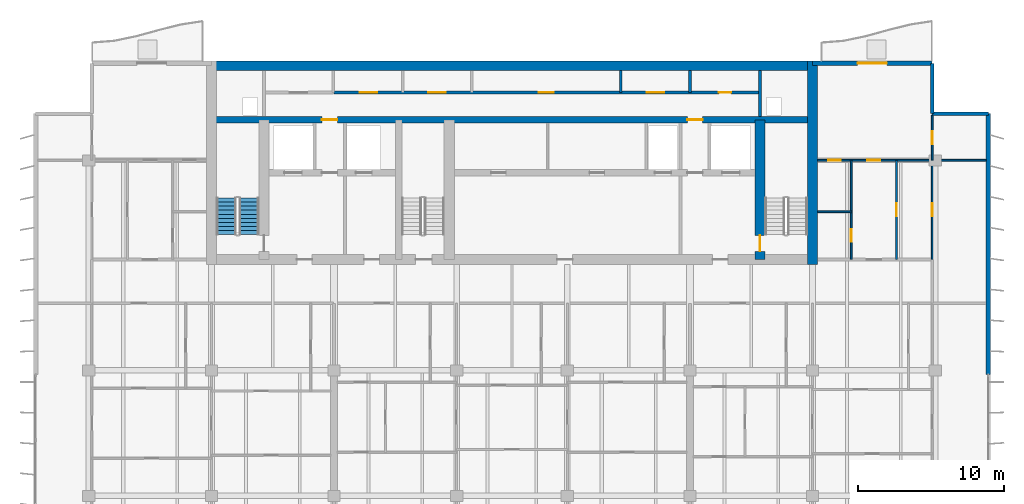
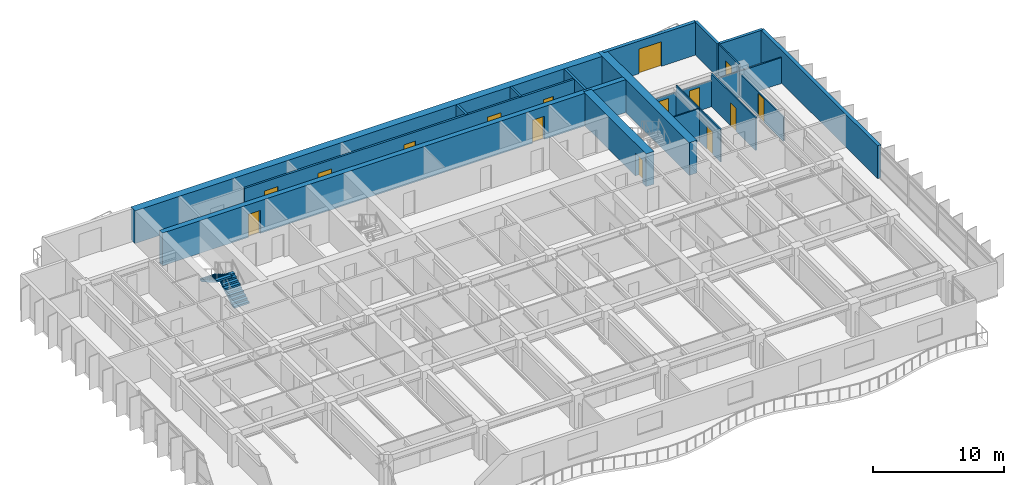
# One storey, part 12 of 17: 18 walls, 15 doors, 2 stair flights, 15 openings, 1 element without a shape of its own.
"""IFC4 building model written with IfcOpenShell, lengths in metres."""

from ifc_helpers import new_model, si_unit, direction, frame, frame_2d, origin, place, context, subcontext, project, spatial, polyline, rectangle, outline, extrude, material, layer, layer_set, type_object, element, fill, aggregate, save


model = new_model("IFC4")

# Units and contexts
model_context = context("Model", 3, precision=1e-05, world=origin(), true_north=direction((0.0, 1.0)))
body_context = subcontext(model_context, "Body", "Model", "MODEL_VIEW")
ifc_project = project(units=[si_unit("LENGTHUNIT", "METRE"), si_unit("AREAUNIT", "SQUARE_METRE"), si_unit("VOLUMEUNIT", "CUBIC_METRE"), si_unit("PLANEANGLEUNIT", "RADIAN"), si_unit("MASSUNIT", "GRAM", prefix="KILO")], contexts=[model_context])

# Site, building, storey
site_placement = place(None, origin())
site = spatial("IfcSite", under=ifc_project, at=site_placement, CompositionType="ELEMENT")
building_placement = place(site_placement, origin())
building = spatial("IfcBuilding", under=site, at=building_placement, Name="Caelmar Bay Residences", CompositionType="ELEMENT")
storey_placement = place(building_placement, frame((0.0, 0.0, 208.199951171875)))
storey = spatial("IfcBuildingStorey", under=building, at=storey_placement, Name="L58", CompositionType="ELEMENT", Elevation=208.199951171875)

# Wall
ifc_material_1 = material(Name="Concrete f'c 55 MPa (8,000 psi)", Category="concrete")
ifc_layer_1 = layer(ifc_material_1, 0.699951171875)
ifc_layer_set_1 = layer_set([ifc_layer_1], Name="Concrete f'c 55 MPa (8,000 psi)")
wall_type_1 = type_object("IfcWallType", Name="SW-COR-700", PredefinedType="SHEAR", material=ifc_layer_set_1)
wall_1_placement = place(storey_placement, frame((59.5, 36.64990234375, 0.0), z_axis=(0.0, 0.0, 1.0), x_axis=(0.0, 1.0, 0.0)))
element("IfcWall", 1, at=wall_1_placement, inside=storey, type_object=wall_type_1, Name="L58 Rear Core East Shear Wall", PredefinedType="SHEAR", context=body_context, shape_type="SweptSolid", body=[
    extrude(rectangle(XDim=13.9501953125, YDim=0.699951171875, at=frame_2d((6.97509765625, 0.0))), origin(), (0.0, 0.0, 1.0), 3.050048828125),
])

# Wall, opening, door
wall_2_placement = place(storey_placement, frame((55.89990234375, 37.0, 0.0), z_axis=(0.0, 0.0, 1.0), x_axis=(0.0, 1.0, 0.0)))
wall_2 = element("IfcWall", 2, at=wall_2_placement, inside=storey, type_object=wall_type_1, Name="L58 Core Structural Web Wall ST2W", PredefinedType="SHEAR", context=body_context, shape_type="SweptSolid", body=[
    extrude(rectangle(XDim=9.574951171875, YDim=0.699951171875, at=frame_2d((4.78759765625, 0.0))), origin(), (0.0, 0.0, 1.0), 3.050048828125),
])
opening_1_placement = place(wall_2_placement, frame((0.550048828125, 0.0, 0.0)))
opening_1 = element("IfcOpeningElement", 3, at=opening_1_placement, cuts=wall_2, Name="Opening D-L58-110", PredefinedType="OPENING", context=body_context, shape_type="SweptSolid", body=[
    extrude(rectangle(XDim=1.10009765625, YDim=2.14990234375, at=frame_2d((0.550048828125, 1.074951171875))), frame((0.0, 0.35986328125, 0.0), z_axis=(0.0, -1.0, 0.0), x_axis=(1.0, 0.0, 0.0)), (0.0, 0.0, 1.0), 0.719970703125),
])
ifc_material_2 = material(Name="Fire-rated steel and walnut architectural door assembly", Category="steel")
ifc_layer_2 = layer(ifc_material_2, 0.050048828125)
ifc_layer_set_2 = layer_set([ifc_layer_2], Name="Fire-rated steel and walnut architectural door assembly")
door_type_1 = type_object("IfcDoorType", Name="D-STAIR-1100", OperationType="NOTDEFINED", PredefinedType="DOOR", material=ifc_layer_set_2)
door_1_placement = place(opening_1_placement, origin())
door_1 = element("IfcDoor", 4, at=door_1_placement, inside=storey, type_object=door_type_1, Name="L58 Firefighting Lobby East Door", OperationType="SINGLE_SWING_LEFT", OverallHeight=2.14990234375, OverallWidth=1.10009765625, PredefinedType="DOOR", context=body_context, shape_type="SweptSolid", body=[
    extrude(rectangle(XDim=1.10009765625, YDim=2.14990234375, at=frame_2d((0.550048828125, 1.074951171875))), frame((0.0, 0.02490234375, 0.0), z_axis=(0.0, -1.0, 0.0), x_axis=(1.0, 0.0, 0.0)), (0.0, 0.0, 1.0), 0.050048828125),
])
fill(opening_1, door_1)

# Wall
ifc_layer_3 = layer(ifc_material_1, 0.64990234375)
ifc_layer_set_3 = layer_set([ifc_layer_3], Name="Concrete f'c 55 MPa (8,000 psi)")
wall_type_2 = type_object("IfcWallType", Name="SW-CORN-650", PredefinedType="SHEAR", material=ifc_layer_set_3)
wall_3_placement = place(storey_placement, frame((17.949951171875, 50.27490234375, 0.0), z_axis=(0.0, 0.0, 1.0), x_axis=(1.0, 0.0, 0.0)))
element("IfcWall", 5, at=wall_3_placement, inside=storey, type_object=wall_type_2, Name="L58 Rear Core North Shear Wall", PredefinedType="SHEAR", context=body_context, shape_type="SweptSolid", body=[
    extrude(rectangle(XDim=41.900146484375, YDim=0.64990234375, at=frame_2d((20.9501953125, 0.0))), origin(), (0.0, 0.0, 1.0), 3.050048828125),
])

# Wall, openings, doors
ifc_material_3 = material(Name="Concrete f'c 70 MPa (10,000 psi)", Category="concrete")
ifc_layer_4 = layer(ifc_material_3, 0.449951171875)
ifc_layer_set_4 = layer_set([ifc_layer_4], Name="Concrete f'c 70 MPa (10,000 psi)")
wall_type_3 = type_object("IfcWallType", Name="SW-WEB-450", PredefinedType="SHEAR", material=ifc_layer_set_4)
wall_4_placement = place(storey_placement, frame((18.300048828125, 46.574951171875, 0.0), z_axis=(0.0, 0.0, 1.0), x_axis=(1.0, 0.0, 0.0)))
wall_4 = element("IfcWall", 6, at=wall_4_placement, inside=storey, type_object=wall_type_3, Name="L58 Core Structural Web Wall SRVS", PredefinedType="SHEAR", context=body_context, shape_type="SweptSolid", body=[
    extrude(rectangle(XDim=41.199951171875, YDim=0.449951171875, at=frame_2d((20.60009765625, 0.0))), origin(), (0.0, 0.0, 1.0), 3.050048828125),
])
opening_2_placement = place(wall_4_placement, frame((7.574951171875, 0.0, 0.0)))
opening_2 = element("IfcOpeningElement", 7, at=opening_2_placement, cuts=wall_4, Name="Opening D-L58-116", PredefinedType="OPENING", context=body_context, shape_type="SweptSolid", body=[
    extrude(rectangle(XDim=1.050048828125, YDim=2.14990234375, at=frame_2d((0.52490234375, 1.074951171875))), frame((0.0, 0.23486328125, 0.0), z_axis=(0.0, -1.0, 0.0), x_axis=(1.0, 0.0, 0.0)), (0.0, 0.0, 1.0), 0.469970703125),
])
opening_3_placement = place(wall_4_placement, frame((32.625, 0.0, 0.0)))
opening_3 = element("IfcOpeningElement", 8, at=opening_3_placement, cuts=wall_4, Name="Opening D-L58-117", PredefinedType="OPENING", context=body_context, shape_type="SweptSolid", body=[
    extrude(rectangle(XDim=1.050048828125, YDim=2.14990234375, at=frame_2d((0.52490234375, 1.074951171875))), frame((0.0, 0.23486328125, 0.0), z_axis=(0.0, -1.0, 0.0), x_axis=(1.0, 0.0, 0.0)), (0.0, 0.0, 1.0), 0.469970703125),
])
ifc_layer_5 = layer(ifc_material_2, 0.050048828125)
ifc_layer_set_5 = layer_set([ifc_layer_5], Name="Fire-rated steel and walnut architectural door assembly")
door_type_2 = type_object("IfcDoorType", Name="D-FSAE-1050", OperationType="NOTDEFINED", PredefinedType="DOOR", material=ifc_layer_set_5)
door_2_placement = place(opening_2_placement, origin())
door_2 = element("IfcDoor", 9, at=door_2_placement, inside=storey, type_object=door_type_2, Name="L58 Core Service Corridor Door", OperationType="SINGLE_SWING_LEFT", OverallHeight=2.14990234375, OverallWidth=1.050048828125, PredefinedType="DOOR", context=body_context, shape_type="SweptSolid", body=[
    extrude(rectangle(XDim=1.050048828125, YDim=2.14990234375, at=frame_2d((0.52490234375, 1.074951171875))), frame((0.0, 0.02490234375, 0.0), z_axis=(0.0, -1.0, 0.0), x_axis=(1.0, 0.0, 0.0)), (0.0, 0.0, 1.0), 0.050048828125),
])
fill(opening_2, door_2)
door_3_placement = place(opening_3_placement, origin())
door_3 = element("IfcDoor", 10, at=door_3_placement, inside=storey, type_object=door_type_2, Name="L58 Core Service Corridor Door", OperationType="SINGLE_SWING_RIGHT", OverallHeight=2.14990234375, OverallWidth=1.050048828125, PredefinedType="DOOR", context=body_context, shape_type="SweptSolid", body=[
    extrude(rectangle(XDim=1.050048828125, YDim=2.14990234375, at=frame_2d((0.52490234375, 1.074951171875))), frame((0.0, 0.02490234375, 0.0), z_axis=(0.0, -1.0, 0.0), x_axis=(1.0, 0.0, 0.0)), (0.0, 0.0, 1.0), 0.050048828125),
])
fill(opening_3, door_3)

# Walls
ifc_material_4 = material(Name="Double-stud acoustic fire-rated gypsum partition 180 mm")
ifc_layer_6 = layer(ifc_material_4, 0.179931640625)
ifc_layer_set_6 = layer_set([ifc_layer_6], Name="Double-stud acoustic fire-rated gypsum partition 180 mm")
wall_type_4 = type_object("IfcWallType", Name="W-COR-200", PredefinedType="PARTITIONING", material=ifc_layer_set_6)
for number, where, z_axis, x_axis, name in (
    (11, (46.35009765625, 48.449951171875, 0.0), (0.0, 0.0, 1.0), (0.0, 1.0, 0.0), "L58 Partition Wall V029"),
    (12, (51.10009765625, 48.449951171875, 0.0), (0.0, 0.0, 1.0), (0.0, 1.0, 0.0), "L58 Partition Wall V037"),
):
    element("IfcWall", number, at=place(storey_placement, frame(where, z_axis=z_axis, x_axis=x_axis)), inside=storey, type_object=wall_type_4, Name=name, PredefinedType="PARTITIONING", context=body_context, shape_type="SweptSolid", body=[
        extrude(rectangle(XDim=1.505126953125, YDim=0.179931640625, at=frame_2d((0.75244140625, 0.0))), origin(), (0.0, 0.0, 1.0), 3.050048828125),
    ])

# Wall, openings, doors
wall_5_placement = place(storey_placement, frame((26.699951171875, 48.449951171875, 0.0), z_axis=(0.0, 0.0, 1.0), x_axis=(1.0, 0.0, 0.0)))
wall_5 = element("IfcWall", 13, at=wall_5_placement, inside=storey, type_object=wall_type_4, Name="L58 Partition Wall H079", PredefinedType="PARTITIONING", context=body_context, shape_type="SweptSolid", body=[
    extrude(rectangle(XDim=29.199951171875, YDim=0.179931640625, at=frame_2d((14.60009765625, 0.0))), origin(), (0.0, 0.0, 1.0), 3.050048828125),
])
opening_4_placement = place(wall_5_placement, frame((1.75, 0.0, 0.0)))
opening_4 = element("IfcOpeningElement", 14, at=opening_4_placement, cuts=wall_5, Name="Opening D-L58-119", PredefinedType="OPENING", context=body_context, shape_type="SweptSolid", body=[
    extrude(rectangle(XDim=1.199951171875, YDim=2.199951171875, at=frame_2d((0.60009765625, 1.10009765625))), frame((0.0, 0.099853515625, 0.0), z_axis=(0.0, -1.0, 0.0), x_axis=(1.0, 0.0, 0.0)), (0.0, 0.0, 1.0), 0.199951171875),
])
opening_5_placement = place(wall_5_placement, frame((6.47509765625, 0.0, 0.0)))
opening_5 = element("IfcOpeningElement", 15, at=opening_5_placement, cuts=wall_5, Name="Opening D-L58-120", PredefinedType="OPENING", context=body_context, shape_type="SweptSolid", body=[
    extrude(rectangle(XDim=1.199951171875, YDim=2.199951171875, at=frame_2d((0.60009765625, 1.10009765625))), frame((0.0, 0.099853515625, 0.0), z_axis=(0.0, -1.0, 0.0), x_axis=(1.0, 0.0, 0.0)), (0.0, 0.0, 1.0), 0.199951171875),
])
opening_6_placement = place(wall_5_placement, frame((14.050048828125, 0.0, 0.0)))
opening_6 = element("IfcOpeningElement", 16, at=opening_6_placement, cuts=wall_5, Name="Opening D-L58-121", PredefinedType="OPENING", context=body_context, shape_type="SweptSolid", body=[
    extrude(rectangle(XDim=1.0, YDim=2.199951171875, at=frame_2d((0.5, 1.10009765625))), frame((0.0, 0.099853515625, 0.0), z_axis=(0.0, -1.0, 0.0), x_axis=(1.0, 0.0, 0.0)), (0.0, 0.0, 1.0), 0.199951171875),
])
opening_7_placement = place(wall_5_placement, frame((21.425048828125, 0.0, 0.0)))
opening_7 = element("IfcOpeningElement", 17, at=opening_7_placement, cuts=wall_5, Name="Opening D-L58-122", PredefinedType="OPENING", context=body_context, shape_type="SweptSolid", body=[
    extrude(rectangle(XDim=1.199951171875, YDim=2.199951171875, at=frame_2d((0.60009765625, 1.10009765625))), frame((0.0, 0.099853515625, 0.0), z_axis=(0.0, -1.0, 0.0), x_axis=(1.0, 0.0, 0.0)), (0.0, 0.0, 1.0), 0.199951171875),
])
opening_8_placement = place(wall_5_placement, frame((26.375, 0.0, 0.0)))
opening_8 = element("IfcOpeningElement", 18, at=opening_8_placement, cuts=wall_5, Name="Opening D-L58-123", PredefinedType="OPENING", context=body_context, shape_type="SweptSolid", body=[
    extrude(rectangle(XDim=0.85009765625, YDim=2.10009765625, at=frame_2d((0.425048828125, 1.050048828125))), frame((0.0, 0.099853515625, 0.0), z_axis=(0.0, -1.0, 0.0), x_axis=(1.0, 0.0, 0.0)), (0.0, 0.0, 1.0), 0.199951171875),
])
ifc_layer_7 = layer(ifc_material_2, 0.050048828125)
ifc_layer_set_7 = layer_set([ifc_layer_7], Name="Fire-rated steel and walnut architectural door assembly")
door_type_3 = type_object("IfcDoorType", Name="D-CORE-850", OperationType="NOTDEFINED", PredefinedType="DOOR", material=ifc_layer_set_7)
door_4_placement = place(opening_8_placement, origin())
door_4 = element("IfcDoor", 19, at=door_4_placement, inside=storey, type_object=door_type_3, Name="L58 Staff Restroom Door", OperationType="SINGLE_SWING_RIGHT", OverallHeight=2.10009765625, OverallWidth=0.85009765625, PredefinedType="DOOR", context=body_context, shape_type="SweptSolid", body=[
    extrude(rectangle(XDim=0.85009765625, YDim=2.10009765625, at=frame_2d((0.425048828125, 1.050048828125))), frame((0.0, 0.02490234375, 0.0), z_axis=(0.0, -1.0, 0.0), x_axis=(1.0, 0.0, 0.0)), (0.0, 0.0, 1.0), 0.050048828125),
])
fill(opening_8, door_4)
ifc_layer_8 = layer(ifc_material_2, 0.050048828125)
ifc_layer_set_8 = layer_set([ifc_layer_8], Name="Fire-rated steel and walnut architectural door assembly")
door_type_4 = type_object("IfcDoorType", Name="D-PLANT-1200", OperationType="NOTDEFINED", PredefinedType="DOOR", material=ifc_layer_set_8)
door_5_placement = place(opening_4_placement, origin())
door_5 = element("IfcDoor", 20, at=door_5_placement, inside=storey, type_object=door_type_4, Name="L58 Water Meter Closet Door", OperationType="SINGLE_SWING_RIGHT", OverallHeight=2.199951171875, OverallWidth=1.199951171875, PredefinedType="DOOR", context=body_context, shape_type="SweptSolid", body=[
    extrude(rectangle(XDim=1.199951171875, YDim=2.199951171875, at=frame_2d((0.60009765625, 1.10009765625))), frame((0.0, 0.02490234375, 0.0), z_axis=(0.0, -1.0, 0.0), x_axis=(1.0, 0.0, 0.0)), (0.0, 0.0, 1.0), 0.050048828125),
])
fill(opening_4, door_5)
door_6_placement = place(opening_5_placement, origin())
door_6 = element("IfcDoor", 21, at=door_6_placement, inside=storey, type_object=door_type_4, Name="L58 Low-Voltage Data Closet Door", OperationType="SINGLE_SWING_LEFT", OverallHeight=2.199951171875, OverallWidth=1.199951171875, PredefinedType="DOOR", context=body_context, shape_type="SweptSolid", body=[
    extrude(rectangle(XDim=1.199951171875, YDim=2.199951171875, at=frame_2d((0.60009765625, 1.10009765625))), frame((0.0, 0.02490234375, 0.0), z_axis=(0.0, -1.0, 0.0), x_axis=(1.0, 0.0, 0.0)), (0.0, 0.0, 1.0), 0.050048828125),
])
fill(opening_5, door_6)
door_7_placement = place(opening_7_placement, origin())
door_7 = element("IfcDoor", 22, at=door_7_placement, inside=storey, type_object=door_type_4, Name="L58 Valet Trunk Closet Door", OperationType="SINGLE_SWING_LEFT", OverallHeight=2.199951171875, OverallWidth=1.199951171875, PredefinedType="DOOR", context=body_context, shape_type="SweptSolid", body=[
    extrude(rectangle(XDim=1.199951171875, YDim=2.199951171875, at=frame_2d((0.60009765625, 1.10009765625))), frame((0.0, 0.02490234375, 0.0), z_axis=(0.0, -1.0, 0.0), x_axis=(1.0, 0.0, 0.0)), (0.0, 0.0, 1.0), 0.050048828125),
])
fill(opening_7, door_7)
ifc_layer_9 = layer(ifc_material_2, 0.050048828125)
ifc_layer_set_9 = layer_set([ifc_layer_9], Name="Fire-rated steel and walnut architectural door assembly")
door_type_5 = type_object("IfcDoorType", Name="D-UNIT-1000", OperationType="NOTDEFINED", PredefinedType="DOOR", material=ifc_layer_set_9)
door_8_placement = place(opening_6_placement, origin())
door_8 = element("IfcDoor", 23, at=door_8_placement, inside=storey, type_object=door_type_5, Name="L58 Mail Sorting Office Door", OperationType="SINGLE_SWING_RIGHT", OverallHeight=2.199951171875, OverallWidth=1.0, PredefinedType="DOOR", context=body_context, shape_type="SweptSolid", body=[
    extrude(rectangle(XDim=1.0, YDim=2.199951171875, at=frame_2d((0.5, 1.10009765625))), frame((0.0, 0.02490234375, 0.0), z_axis=(0.0, -1.0, 0.0), x_axis=(1.0, 0.0, 0.0)), (0.0, 0.0, 1.0), 0.050048828125),
])
fill(opening_6, door_8)

# Walls
ifc_material_5 = material(Name="Precast concrete f'c 40 MPa (6,000 psi)", Category="concrete")
ifc_layer_10 = layer(ifc_material_5, 0.25)
ifc_layer_set_10 = layer_set([ifc_layer_10], Name="Precast concrete f'c 40 MPa (6,000 psi)")
wall_type_5 = type_object("IfcWallType", Name="W-EXT-250", PredefinedType="ELEMENTEDWALL", material=ifc_layer_set_10)
wall_6_placement = place(storey_placement, frame((67.699951171875, 50.449951171875, 0.0), z_axis=(0.0, 0.0, 1.0), x_axis=(0.0, -1.0, 0.0)))
element("IfcWall", 24, at=wall_6_placement, inside=storey, type_object=wall_type_5, Name="L58 NNE-V Notch Wall", PredefinedType="ELEMENTEDWALL", context=body_context, shape_type="SweptSolid", body=[
    extrude(rectangle(XDim=3.449951171875, YDim=0.25, at=frame_2d((1.72509765625, 0.0))), origin(), (0.0, 0.0, 1.0), 3.050048828125),
])
wall_7_placement = place(storey_placement, frame((67.699951171875, 47.0, 0.0), z_axis=(0.0, 0.0, 1.0), x_axis=(1.0, 0.0, 0.0)))
element("IfcWall", 25, at=wall_7_placement, inside=storey, type_object=wall_type_5, Name="L58 NNE-H Notch Wall", PredefinedType="ELEMENTEDWALL", context=body_context, shape_type="SweptSolid", body=[
    extrude(rectangle(XDim=3.85009765625, YDim=0.25, at=frame_2d((1.925048828125, 0.0))), origin(), (0.0, 0.0, 1.0), 3.050048828125),
])
ifc_layer_11 = layer(ifc_material_5, 0.300048828125)
ifc_layer_set_11 = layer_set([ifc_layer_11], Name="Precast concrete f'c 40 MPa (6,000 psi)")
wall_type_6 = type_object("IfcWallType", Name="W-EXT-300", PredefinedType="STANDARD", material=ifc_layer_set_11)
wall_8_placement = place(storey_placement, frame((71.550048828125, 47.0, 0.0), z_axis=(0.0, 0.0, 1.0), x_axis=(0.0, -1.0, 0.0)))
element("IfcWall", 26, at=wall_8_placement, inside=storey, type_object=wall_type_6, Name="L58 East Rear Exterior Wall", PredefinedType="STANDARD", context=body_context, shape_type="SweptSolid", body=[
    extrude(rectangle(XDim=17.89990234375, YDim=0.300048828125, at=frame_2d((8.949951171875, 0.0))), origin(), (0.0, 0.0, 1.0), 3.050048828125),
])

# Wall, opening, door
wall_9_placement = place(storey_placement, frame((59.5, 50.449951171875, 0.0), z_axis=(0.0, 0.0, 1.0), x_axis=(1.0, 0.0, 0.0)))
wall_9 = element("IfcWall", 27, at=wall_9_placement, inside=storey, type_object=wall_type_6, Name="L58 North-East Wing Exterior Wall", PredefinedType="STANDARD", context=body_context, shape_type="SweptSolid", body=[
    extrude(rectangle(XDim=8.199951171875, YDim=0.300048828125, at=frame_2d((4.10009765625, 0.0))), origin(), (0.0, 0.0, 1.0), 3.050048828125),
])
opening_9_placement = place(wall_9_placement, frame((3.10009765625, 0.0, 0.0)))
opening_9 = element("IfcOpeningElement", 28, at=opening_9_placement, cuts=wall_9, Name="Opening L58-BDNE", PredefinedType="OPENING", context=body_context, shape_type="SweptSolid", body=[
    extrude(rectangle(XDim=2.0, YDim=2.300048828125, at=frame_2d((1.0, 1.14990234375))), frame((0.0, 0.159912109375, 0.0), z_axis=(0.0, -1.0, 0.0), x_axis=(1.0, 0.0, 0.0)), (0.0, 0.0, 1.0), 0.320068359375),
])
ifc_material_6 = material(Name="Anodised bronze thermally broken sliding glass door", Category="glass")
ifc_layer_12 = layer(ifc_material_6, 0.050048828125)
ifc_layer_set_12 = layer_set([ifc_layer_12], Name="Anodised bronze thermally broken sliding glass door")
door_type_6 = type_object("IfcDoorType", Name="D-BAL-2000", OperationType="DOUBLE_DOOR_SLIDING", PredefinedType="DOOR", material=ifc_layer_set_12)
door_9_placement = place(opening_9_placement, origin())
door_9 = element("IfcDoor", 29, at=door_9_placement, inside=storey, type_object=door_type_6, Name="L58 North-East Balcony Door", OperationType="DOUBLE_DOOR_SLIDING", OverallHeight=2.300048828125, OverallWidth=2.0, PredefinedType="DOOR", context=body_context, shape_type="SweptSolid", body=[
    extrude(rectangle(XDim=2.0, YDim=2.300048828125, at=frame_2d((1.0, 1.14990234375))), frame((0.0, 0.02490234375, 0.0), z_axis=(0.0, -1.0, 0.0), x_axis=(1.0, 0.0, 0.0)), (0.0, 0.0, 1.0), 0.050048828125),
])
fill(opening_9, door_9)

# Wall
ifc_material_7 = material(Name="Fire-rated masonry and gypsum shaftliner assembly 200 mm", Category="masonry")
ifc_layer_13 = layer(ifc_material_7, 0.199951171875)
ifc_layer_set_13 = layer_set([ifc_layer_13], Name="Fire-rated masonry and gypsum shaftliner assembly 200 mm")
wall_type_7 = type_object("IfcWallType", Name="W-FSAE-200", PredefinedType="PARTITIONING", material=ifc_layer_set_13)
wall_10_placement = place(storey_placement, frame((55.89990234375, 46.794921875, 0.0), z_axis=(0.0, 0.0, 1.0), x_axis=(0.0, 1.0, 0.0)))
element("IfcWall", 30, at=wall_10_placement, inside=storey, type_object=wall_type_7, Name="L58 Partition Wall V040", PredefinedType="PARTITIONING", context=body_context, shape_type="SweptSolid", body=[
    extrude(rectangle(XDim=3.16015625, YDim=0.199951171875, at=frame_2d((1.580078125, 0.0))), origin(), (0.0, 0.0, 1.0), 3.050048828125),
])

# Wall, opening, door
ifc_material_8 = material(Name="Anodised bronze framed acoustic sliding study partition 100 mm")
ifc_layer_14 = layer(ifc_material_8, 0.10009765625)
ifc_layer_set_14 = layer_set([ifc_layer_14], Name="Anodised bronze framed acoustic sliding study partition 100 mm")
wall_type_8 = type_object("IfcWallType", Name="W-MOV-100", PredefinedType="MOVABLE", material=ifc_layer_set_14)
wall_11_placement = place(storey_placement, frame((67.699951171875, 37.0048828125, 0.0), z_axis=(0.0, 0.0, 1.0), x_axis=(0.0, 1.0, 0.0)))
wall_11 = element("IfcWall", 31, at=wall_11_placement, inside=storey, type_object=wall_type_8, Name="L58 Partition Wall V049", PredefinedType="MOVABLE", context=body_context, shape_type="SweptSolid", body=[
    extrude(rectangle(XDim=6.795166015625, YDim=0.10009765625, at=frame_2d((3.3974609375, 0.0))), origin(), (0.0, 0.0, 1.0), 2.262939453125),
])
opening_10_placement = place(wall_11_placement, frame((2.947509765625, 0.0, 0.0)))
opening_10 = element("IfcOpeningElement", 32, at=opening_10_placement, cuts=wall_11, Name="Opening D-L58-172", PredefinedType="OPENING", context=body_context, shape_type="SweptSolid", body=[
    extrude(rectangle(XDim=0.89990234375, YDim=2.14990234375, at=frame_2d((0.449951171875, 1.074951171875))), frame((0.0, 0.06005859375, 0.0), z_axis=(0.0, -1.0, 0.0), x_axis=(1.0, 0.0, 0.0)), (0.0, 0.0, 1.0), 0.1201171875),
])
ifc_material_9 = material(Name="Solid walnut timber interior door leaf and frame", Category="wood")
ifc_layer_15 = layer(ifc_material_9, 0.050048828125)
ifc_layer_set_15 = layer_set([ifc_layer_15], Name="Solid walnut timber interior door leaf and frame")
door_type_7 = type_object("IfcDoorType", Name="D-ROOM-900", OperationType="NOTDEFINED", PredefinedType="DOOR", material=ifc_layer_set_15)
door_10_placement = place(opening_10_placement, origin())
door_10 = element("IfcDoor", 33, at=door_10_placement, inside=storey, type_object=door_type_7, Name="L58 Residence EA Sun Study Door", OperationType="SINGLE_SWING_LEFT", OverallHeight=2.14990234375, OverallWidth=0.89990234375, PredefinedType="DOOR", context=body_context, shape_type="SweptSolid", body=[
    extrude(rectangle(XDim=0.89990234375, YDim=2.14990234375, at=frame_2d((0.449951171875, 1.074951171875))), frame((0.0, 0.02490234375, 0.0), z_axis=(0.0, -1.0, 0.0), x_axis=(1.0, 0.0, 0.0)), (0.0, 0.0, 1.0), 0.050048828125),
])
fill(opening_10, door_10)

ifc_material_10 = material(Name="Acoustic metal-stud gypsum partition 120 mm")
ifc_layer_16 = layer(ifc_material_10, 0.1201171875)
ifc_layer_set_16 = layer_set([ifc_layer_16], Name="Acoustic metal-stud gypsum partition 120 mm")
wall_type_9 = type_object("IfcWallType", Name="W-PRT-120", PredefinedType="PARTITIONING", material=ifc_layer_set_16)
wall_12_placement = place(storey_placement, frame((62.14990234375, 37.0, 0.0), z_axis=(0.0, 0.0, 1.0), x_axis=(0.0, 1.0, 0.0)))
wall_12 = element("IfcWall", 34, at=wall_12_placement, inside=storey, type_object=wall_type_9, Name="L58 Partition Wall V044", PredefinedType="PARTITIONING", context=body_context, shape_type="SweptSolid", body=[
    extrude(rectangle(XDim=6.800048828125, YDim=0.1201171875, at=frame_2d((3.39990234375, 0.0))), origin(), (0.0, 0.0, 1.0), 3.050048828125),
])
opening_11_placement = place(wall_12_placement, frame((1.20703125, 0.0, 0.0)))
opening_11 = element("IfcOpeningElement", 35, at=opening_11_placement, cuts=wall_12, Name="Opening D-L58-170", PredefinedType="OPENING", context=body_context, shape_type="SweptSolid", body=[
    extrude(rectangle(XDim=0.85009765625, YDim=2.10009765625, at=frame_2d((0.425048828125, 1.050048828125))), frame((0.0, 0.070068359375, 0.0), z_axis=(0.0, -1.0, 0.0), x_axis=(1.0, 0.0, 0.0)), (0.0, 0.0, 1.0), 0.14013671875),
])
ifc_layer_17 = layer(ifc_material_9, 0.050048828125)
ifc_layer_set_17 = layer_set([ifc_layer_17], Name="Solid walnut timber interior door leaf and frame")
door_type_8 = type_object("IfcDoorType", Name="D-BATH-850", OperationType="NOTDEFINED", PredefinedType="DOOR", material=ifc_layer_set_17)
door_11_placement = place(opening_11_placement, origin())
door_11 = element("IfcDoor", 36, at=door_11_placement, inside=storey, type_object=door_type_8, Name="L58 Residence EA Walk-In Closet Door", OperationType="SINGLE_SWING_LEFT", OverallHeight=2.10009765625, OverallWidth=0.85009765625, PredefinedType="DOOR", context=body_context, shape_type="SweptSolid", body=[
    extrude(rectangle(XDim=0.85009765625, YDim=2.10009765625, at=frame_2d((0.425048828125, 1.050048828125))), frame((0.0, 0.02490234375, 0.0), z_axis=(0.0, -1.0, 0.0), x_axis=(1.0, 0.0, 0.0)), (0.0, 0.0, 1.0), 0.050048828125),
])
fill(opening_11, door_11)

wall_13_placement = place(storey_placement, frame((65.258056640625, 37.0, 0.0), z_axis=(0.0, 0.0, 1.0), x_axis=(0.0, 1.0, 0.0)))
wall_13 = element("IfcWall", 37, at=wall_13_placement, inside=storey, type_object=wall_type_9, Name="L58 Partition Wall V045", PredefinedType="PARTITIONING", context=body_context, shape_type="SweptSolid", body=[
    extrude(rectangle(XDim=6.800048828125, YDim=0.1201171875, at=frame_2d((3.39990234375, 0.0))), origin(), (0.0, 0.0, 1.0), 3.050048828125),
])
opening_12_placement = place(wall_13_placement, frame((2.949951171875, 0.0, 0.0)))
opening_12 = element("IfcOpeningElement", 38, at=opening_12_placement, cuts=wall_13, Name="Opening D-L58-167", PredefinedType="OPENING", context=body_context, shape_type="SweptSolid", body=[
    extrude(rectangle(XDim=0.89990234375, YDim=2.14990234375, at=frame_2d((0.449951171875, 1.074951171875))), frame((0.0, 0.070068359375, 0.0), z_axis=(0.0, -1.0, 0.0), x_axis=(1.0, 0.0, 0.0)), (0.0, 0.0, 1.0), 0.14013671875),
])
door_12_placement = place(opening_12_placement, origin())
door_12 = element("IfcDoor", 39, at=door_12_placement, inside=storey, type_object=door_type_7, Name="L58 Residence EA Dining Room Door", OperationType="SINGLE_SWING_RIGHT", OverallHeight=2.14990234375, OverallWidth=0.89990234375, PredefinedType="DOOR", context=body_context, shape_type="SweptSolid", body=[
    extrude(rectangle(XDim=0.89990234375, YDim=2.14990234375, at=frame_2d((0.449951171875, 1.074951171875))), frame((0.0, 0.02490234375, 0.0), z_axis=(0.0, -1.0, 0.0), x_axis=(1.0, 0.0, 0.0)), (0.0, 0.0, 1.0), 0.050048828125),
])
fill(opening_12, door_12)

wall_14_placement = place(storey_placement, frame((67.699951171875, 43.804931640625, 0.0), z_axis=(0.0, 0.0, 1.0), x_axis=(0.0, 1.0, 0.0)))
wall_14 = element("IfcWall", 40, at=wall_14_placement, inside=storey, type_object=wall_type_9, Name="L58 Partition Wall V050", PredefinedType="PARTITIONING", context=body_context, shape_type="SweptSolid", body=[
    extrude(rectangle(XDim=3.074951171875, YDim=0.1201171875, at=frame_2d((1.53759765625, 0.0))), origin(), (0.0, 0.0, 1.0), 3.050048828125),
])
opening_13_placement = place(wall_14_placement, frame((1.08740234375, 0.0, 0.0)))
opening_13 = element("IfcOpeningElement", 41, at=opening_13_placement, cuts=wall_14, Name="Opening D-L58-173", PredefinedType="OPENING", context=body_context, shape_type="SweptSolid", body=[
    extrude(rectangle(XDim=0.89990234375, YDim=2.14990234375, at=frame_2d((0.449951171875, 1.074951171875))), frame((0.0, 0.070068359375, 0.0), z_axis=(0.0, -1.0, 0.0), x_axis=(1.0, 0.0, 0.0)), (0.0, 0.0, 1.0), 0.14013671875),
])
door_13_placement = place(opening_13_placement, origin())
door_13 = element("IfcDoor", 42, at=door_13_placement, inside=storey, type_object=door_type_7, Name="L58 Residence EA North Sitting Alcove Door", OperationType="SINGLE_SWING_RIGHT", OverallHeight=2.14990234375, OverallWidth=0.89990234375, PredefinedType="DOOR", context=body_context, shape_type="SweptSolid", body=[
    extrude(rectangle(XDim=0.89990234375, YDim=2.14990234375, at=frame_2d((0.449951171875, 1.074951171875))), frame((0.0, 0.02490234375, 0.0), z_axis=(0.0, -1.0, 0.0), x_axis=(1.0, 0.0, 0.0)), (0.0, 0.0, 1.0), 0.050048828125),
])
fill(opening_13, door_13)

# Wall
wall_15_placement = place(storey_placement, frame((59.844970703125, 40.263916015625, 0.0), z_axis=(0.0, 0.0, 1.0), x_axis=(1.0, 0.0, 0.0)))
element("IfcWall", 43, at=wall_15_placement, inside=storey, type_object=wall_type_9, Name="L58 Partition Wall H075", PredefinedType="PARTITIONING", context=body_context, shape_type="SweptSolid", body=[
    extrude(rectangle(XDim=2.304931640625, YDim=0.1201171875, at=frame_2d((1.15234375, 0.0))), origin(), (0.0, 0.0, 1.0), 3.050048828125),
])

# Wall, openings, doors
wall_16_placement = place(storey_placement, frame((59.844970703125, 43.800048828125, 0.0), z_axis=(0.0, 0.0, 1.0), x_axis=(1.0, 0.0, 0.0)))
wall_16 = element("IfcWall", 44, at=wall_16_placement, inside=storey, type_object=wall_type_9, Name="L58 Partition Wall H077", PredefinedType="PARTITIONING", context=body_context, shape_type="SweptSolid", body=[
    extrude(rectangle(XDim=11.56005859375, YDim=0.1201171875, at=frame_2d((5.780029296875, 0.0))), origin(), (0.0, 0.0, 1.0), 2.41796875),
])
opening_14_placement = place(wall_16_placement, frame((3.408935546875, 0.0, 0.0)))
opening_14 = element("IfcOpeningElement", 45, at=opening_14_placement, cuts=wall_16, Name="Opening D-L58-169", PredefinedType="OPENING", context=body_context, shape_type="SweptSolid", body=[
    extrude(rectangle(XDim=0.89990234375, YDim=2.14990234375, at=frame_2d((0.449951171875, 1.074951171875))), frame((0.0, 0.070068359375, 0.0), z_axis=(0.0, -1.0, 0.0), x_axis=(1.0, 0.0, 0.0)), (0.0, 0.0, 1.0), 0.14013671875),
])
opening_15_placement = place(wall_16_placement, frame((0.7275390625, 0.0, 0.0)))
opening_15 = element("IfcOpeningElement", 46, at=opening_15_placement, cuts=wall_16, Name="Opening D-L58-171", PredefinedType="OPENING", context=body_context, shape_type="SweptSolid", body=[
    extrude(rectangle(XDim=0.85009765625, YDim=2.10009765625, at=frame_2d((0.425048828125, 1.050048828125))), frame((0.0, 0.070068359375, 0.0), z_axis=(0.0, -1.0, 0.0), x_axis=(1.0, 0.0, 0.0)), (0.0, 0.0, 1.0), 0.14013671875),
])
door_14_placement = place(opening_15_placement, origin())
door_14 = element("IfcDoor", 47, at=door_14_placement, inside=storey, type_object=door_type_8, Name="L58 Residence EA Bathroom Door", OperationType="SINGLE_SWING_RIGHT", OverallHeight=2.10009765625, OverallWidth=0.85009765625, PredefinedType="DOOR", context=body_context, shape_type="SweptSolid", body=[
    extrude(rectangle(XDim=0.85009765625, YDim=2.10009765625, at=frame_2d((0.425048828125, 1.050048828125))), frame((0.0, 0.02490234375, 0.0), z_axis=(0.0, -1.0, 0.0), x_axis=(1.0, 0.0, 0.0)), (0.0, 0.0, 1.0), 0.050048828125),
])
fill(opening_15, door_14)
door_15_placement = place(opening_14_placement, origin())
door_15 = element("IfcDoor", 48, at=door_15_placement, inside=storey, type_object=door_type_7, Name="L58 Residence EA Studio Living and Sleeping Room Door", OperationType="SINGLE_SWING_RIGHT", OverallHeight=2.14990234375, OverallWidth=0.89990234375, PredefinedType="DOOR", context=body_context, shape_type="SweptSolid", body=[
    extrude(rectangle(XDim=0.89990234375, YDim=2.14990234375, at=frame_2d((0.449951171875, 1.074951171875))), frame((0.0, 0.02490234375, 0.0), z_axis=(0.0, -1.0, 0.0), x_axis=(1.0, 0.0, 0.0)), (0.0, 0.0, 1.0), 0.050048828125),
])
fill(opening_14, door_15)

# Stair, stair flights
ifc_material_11 = material(Name="Concrete f'c 40 MPa (6,000 psi)", Category="concrete")
stair_type = type_object("IfcStairType", Name="ST-TYP-165", PredefinedType="HALF_TURN_STAIR", material=ifc_material_11)
stair_placement = place(storey_placement, origin())
stair = element("IfcStair", 49, at=stair_placement, inside=storey, type_object=stair_type, Name="L58 West Smokeproof Exit Stair ST1", PredefinedType="HALF_TURN_STAIR")
stair_flight_type = type_object("IfcStairFlightType", Name="STF-1350", PredefinedType="STRAIGHT", material=ifc_material_11)
stair_flight_1_placement = place(storey_placement, frame((20.875, 38.699951171875, 0.0), z_axis=(0.0, 0.0, 1.0), x_axis=(0.0, 1.0, 0.0)))
stair_flight_1 = element("IfcStairFlight", 50, at=stair_flight_1_placement, type_object=stair_flight_type, Name="ST1 flight 1", NumberOfRisers=10, NumberOfTreads=9, PredefinedType="STRAIGHT", RiserHeight=0.165, TreadLength=0.28, context=body_context, shape_type="SweptSolid", body=[
    extrude(outline(polyline([(0.0, 0.0), (0.0, 0.1650390625), (0.280029296875, 0.1650390625), (0.280029296875, 0.330078125), (0.56005859375, 0.330078125), (0.56005859375, 0.4951171875), (0.840087890625, 0.4951171875), (0.840087890625, 0.659912109375), (1.1201171875, 0.659912109375), (1.1201171875, 0.824951171875), (1.39990234375, 0.824951171875), (1.39990234375, 0.989990234375), (1.679931640625, 0.989990234375), (1.679931640625, 1.155029296875), (1.9599609375, 1.155029296875), (1.9599609375, 1.320068359375), (2.239990234375, 1.320068359375), (2.239990234375, 1.485107421875), (2.52001953125, 1.485107421875), (2.52001953125, 1.64990234375), (2.52001953125, 1.31103515625), (0.295166015625, 0.0), (0.0, 0.0)])), frame((0.0, 0.675048828125, 0.0), z_axis=(0.0, -1.0, 0.0), x_axis=(1.0, 0.0, 0.0)), (0.0, 0.0, 1.0), 1.35009765625),
])
stair_flight_2_placement = place(storey_placement, frame((19.324951171875, 41.219970703125, 1.650146484375), z_axis=(0.0, 0.0, 1.0), x_axis=(0.0, -1.0, 0.0)))
stair_flight_2 = element("IfcStairFlight", 51, at=stair_flight_2_placement, type_object=stair_flight_type, Name="ST1 flight 2", NumberOfRisers=10, NumberOfTreads=9, PredefinedType="STRAIGHT", RiserHeight=0.165, TreadLength=0.28, context=body_context, shape_type="SweptSolid", body=[
    extrude(outline(polyline([(0.0, 0.0), (0.0, 0.1650390625), (0.280029296875, 0.1650390625), (0.280029296875, 0.330078125), (0.56005859375, 0.330078125), (0.56005859375, 0.4951171875), (0.840087890625, 0.4951171875), (0.840087890625, 0.659912109375), (1.1201171875, 0.659912109375), (1.1201171875, 0.824951171875), (1.39990234375, 0.824951171875), (1.39990234375, 0.989990234375), (1.679931640625, 0.989990234375), (1.679931640625, 1.155029296875), (1.9599609375, 1.155029296875), (1.9599609375, 1.320068359375), (2.239990234375, 1.320068359375), (2.239990234375, 1.485107421875), (2.52001953125, 1.485107421875), (2.52001953125, 1.64990234375), (2.52001953125, 1.31103515625), (0.295166015625, 0.0), (0.0, 0.0)])), frame((0.0, 0.675048828125, 0.0), z_axis=(0.0, -1.0, 0.0), x_axis=(1.0, 0.0, 0.0)), (0.0, 0.0, 1.0), 1.35009765625),
])
aggregate(stair, [stair_flight_1, stair_flight_2])

save(model, "model.ifc")
